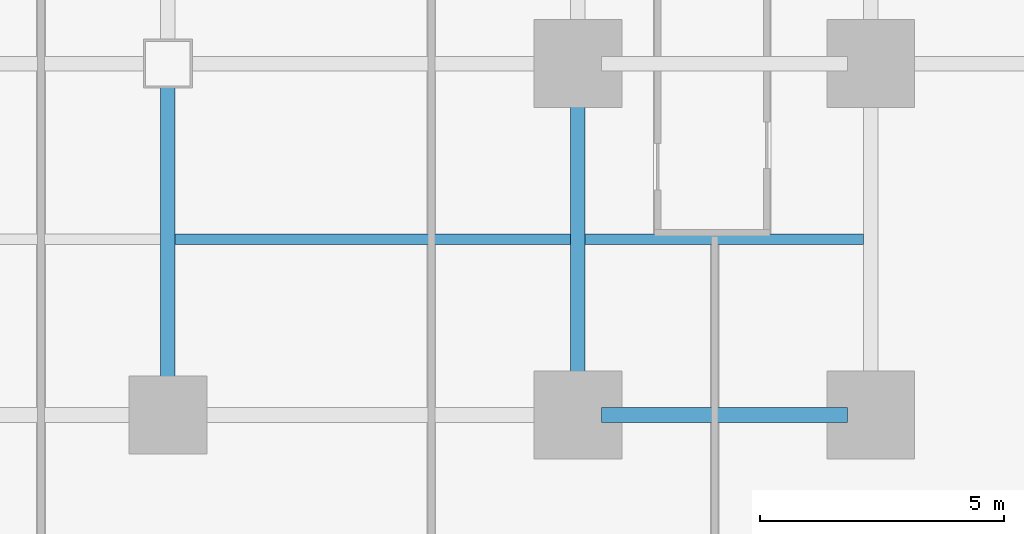
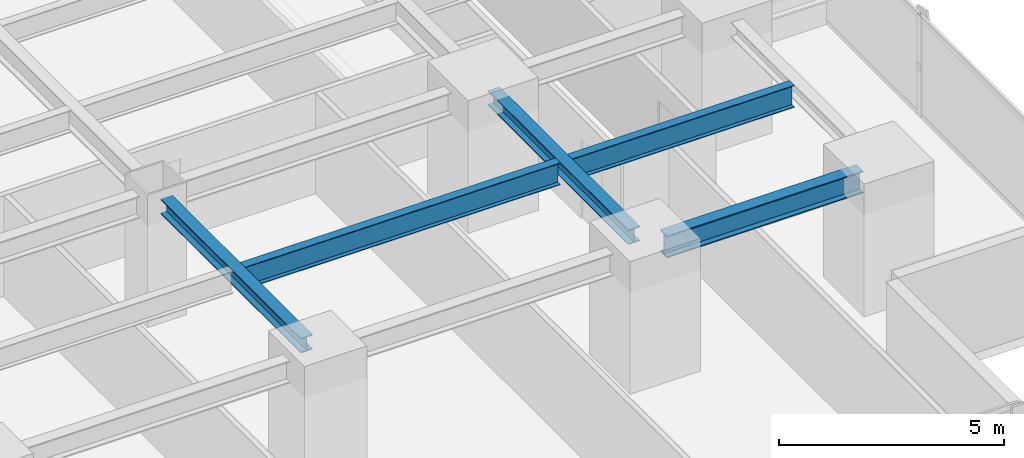
# One storey, part 12 of 33: 5 beams.
"""IFC4 building model written with IfcOpenShell, lengths in metres."""

from ifc_helpers import new_model, si_unit, direction, frame, origin, origin_2d, place, context, subcontext, project, spatial, i_section, extrude, source, transform, mapped, material, material_profile, profile_set, type_object, element, save


model = new_model("IFC4")

# Units and contexts
model_context = context("Model", 3, precision=1e-05, world=origin(), true_north=direction((0.0, 1.0)))
body_context = subcontext(model_context, "Body", "Model", "MODEL_VIEW")
ifc_project = project(units=[si_unit("LENGTHUNIT", "METRE"), si_unit("AREAUNIT", "SQUARE_METRE"), si_unit("VOLUMEUNIT", "CUBIC_METRE"), si_unit("PLANEANGLEUNIT", "RADIAN"), si_unit("MASSUNIT", "GRAM", prefix="KILO")], contexts=[model_context])

# Site, building, storey
site_placement = place(None, origin())
site = spatial("IfcSite", under=ifc_project, at=site_placement, CompositionType="ELEMENT")
building_placement = place(site_placement, origin())
building = spatial("IfcBuilding", under=site, at=building_placement, Name="Sumidabori Civic Tower", CompositionType="ELEMENT")
storey_placement = place(building_placement, frame((0.0, 0.0, 38.0)))
storey = spatial("IfcBuildingStorey", under=building, at=storey_placement, Name="L09", CompositionType="ELEMENT", Elevation=38.0)

# Beams
ifc_material = material(Name="Steel SN490", Category="steel")
ifc_material_profile_1 = material_profile(ifc_material, i_section(OverallWidth=0.300048828125, OverallDepth=0.60009765625, WebThickness=0.015380859375, FlangeThickness=0.030029296875, at=origin_2d()), Name="HE 600 B")
ifc_profile_set_1 = profile_set([ifc_material_profile_1], Name="Steel SN490")
beam_type_1 = type_object("IfcBeamType", Name="BM-GIRD-600", PredefinedType="BEAM", material=ifc_profile_set_1)
shared_shape_1 = source(origin(), body_context, "Body", "SweptSolid", [
    extrude(i_section(OverallWidth=0.300048828125, OverallDepth=0.60009765625, WebThickness=0.015380859375, FlangeThickness=0.030029296875, at=origin_2d()), origin(), (0.0, 0.0, 1.0), 5.0400390625),
])
beam_1_placement = place(storey_placement, frame((17.280029296875, -18.0, 3.06005859375), z_axis=(1.0, 0.0, 0.0), x_axis=(0.0, 1.0, 0.0)))
element("IfcBeam", 1, at=beam_1_placement, inside=storey, type_object=beam_type_1, Name="Primary Girder L09 GX-06", PredefinedType="BEAM", context=body_context, shape_type="MappedRepresentation", body=[
    mapped(shared_shape_1, transform((0.0, 0.0, 0.0), x_axis=(1.0, 0.0, 0.0), y_axis=(0.0, 1.0, 0.0), z_axis=(0.0, 0.0, 1.0), scale=1.0)),
])
ifc_material_profile_2 = material_profile(ifc_material, i_section(OverallWidth=0.300048828125, OverallDepth=0.39990234375, WebThickness=0.013427734375, FlangeThickness=0.02392578125, at=origin_2d()), Name="HE 400 B")
ifc_profile_set_2 = profile_set([ifc_material_profile_2], Name="Steel SN490")
beam_type_2 = type_object("IfcBeamType", Name="BM-GIRD-400", PredefinedType="BEAM", material=ifc_profile_set_2)
shared_shape_2 = source(origin(), body_context, "Body", "SweptSolid", [
    extrude(i_section(OverallWidth=0.300048828125, OverallDepth=0.39990234375, WebThickness=0.013427734375, FlangeThickness=0.02392578125, at=origin_2d()), origin(), (0.0, 0.0, 1.0), 6.239990234375),
])
for number, where, z_axis, x_axis, name in (
    (2, (8.39990234375, -17.52001953125, 3.159912109375), (0.0, 1.0, 0.0), (-1.0, 0.0, 0.0), "Primary Girder L09 GY-33"),
    (3, (16.800048828125, -17.52001953125, 3.159912109375), (0.0, 1.0, 0.0), (-1.0, 0.0, 0.0), "Primary Girder L09 GY-35"),
):
    element("IfcBeam", number, at=place(storey_placement, frame(where, z_axis=z_axis, x_axis=x_axis)), inside=storey, type_object=beam_type_2, Name=name, PredefinedType="BEAM", context=body_context, shape_type="MappedRepresentation", body=[
        mapped(shared_shape_2, transform((0.0, 0.0, 0.0), x_axis=(1.0, 0.0, 0.0), y_axis=(0.0, 1.0, 0.0), z_axis=(0.0, 0.0, 1.0), scale=1.0)),
    ])
ifc_material_profile_3 = material_profile(ifc_material, i_section(OverallWidth=0.219970703125, OverallDepth=0.60009765625, WebThickness=0.011962890625, FlangeThickness=0.01904296875, at=origin_2d()), Name="IPE 600")
ifc_profile_set_3 = profile_set([ifc_material_profile_3], Name="Steel SN490")
beam_type_3 = type_object("IfcBeamType", Name="BM-JST-600", PredefinedType="JOIST", material=ifc_profile_set_3)
shared_shape_3 = source(origin(), body_context, "Body", "SweptSolid", [
    extrude(i_section(OverallWidth=0.219970703125, OverallDepth=0.60009765625, WebThickness=0.011962890625, FlangeThickness=0.01904296875, at=origin_2d()), origin(), (0.0, 0.0, 1.0), 5.699951171875),
])
beam_2_placement = place(storey_placement, frame((16.949951171875, -14.39990234375, 3.06005859375), z_axis=(1.0, 0.0, 0.0), x_axis=(0.0, 1.0, 0.0)))
element("IfcBeam", 4, at=beam_2_placement, inside=storey, type_object=beam_type_3, Name="Outer Bay Floor Joist L09 JSTO-58", PredefinedType="JOIST", context=body_context, shape_type="MappedRepresentation", body=[
    mapped(shared_shape_3, transform((0.0, 0.0, 0.0), x_axis=(1.0, 0.0, 0.0), y_axis=(0.0, 1.0, 0.0), z_axis=(0.0, 0.0, 1.0), scale=1.0)),
])
shared_shape_4 = source(origin(), body_context, "Body", "SweptSolid", [
    extrude(i_section(OverallWidth=0.219970703125, OverallDepth=0.60009765625, WebThickness=0.011962890625, FlangeThickness=0.01904296875, at=origin_2d()), origin(), (0.0, 0.0, 1.0), 8.099853515625),
])
beam_3_placement = place(storey_placement, frame((8.550048828125, -14.39990234375, 3.06005859375), z_axis=(1.0, 0.0, 0.0), x_axis=(0.0, 1.0, 0.0)))
element("IfcBeam", 5, at=beam_3_placement, inside=storey, type_object=beam_type_3, Name="South Bay Floor Joist L09 JSTS-64", PredefinedType="JOIST", context=body_context, shape_type="MappedRepresentation", body=[
    mapped(shared_shape_4, transform((0.0, 0.0, 0.0), x_axis=(1.0, 0.0, 0.0), y_axis=(0.0, 1.0, 0.0), z_axis=(0.0, 0.0, 1.0), scale=1.0)),
])

save(model, "model.ifc")
